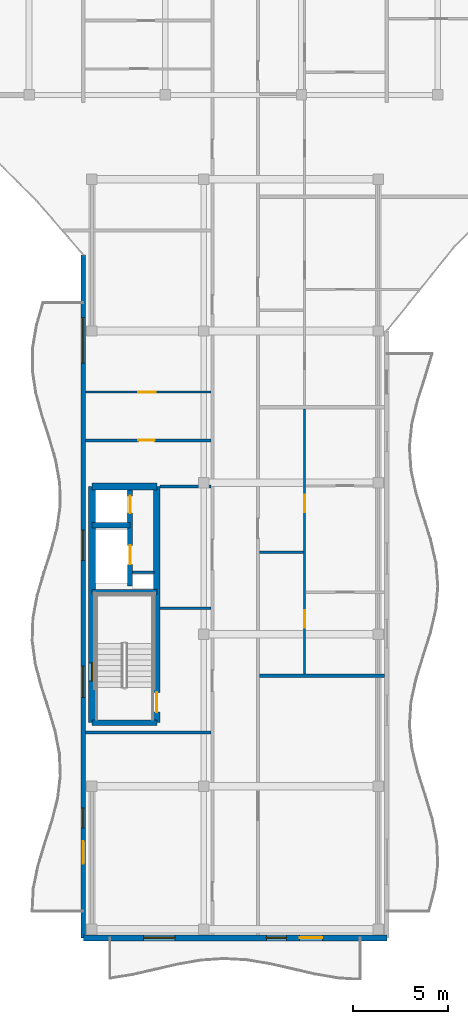
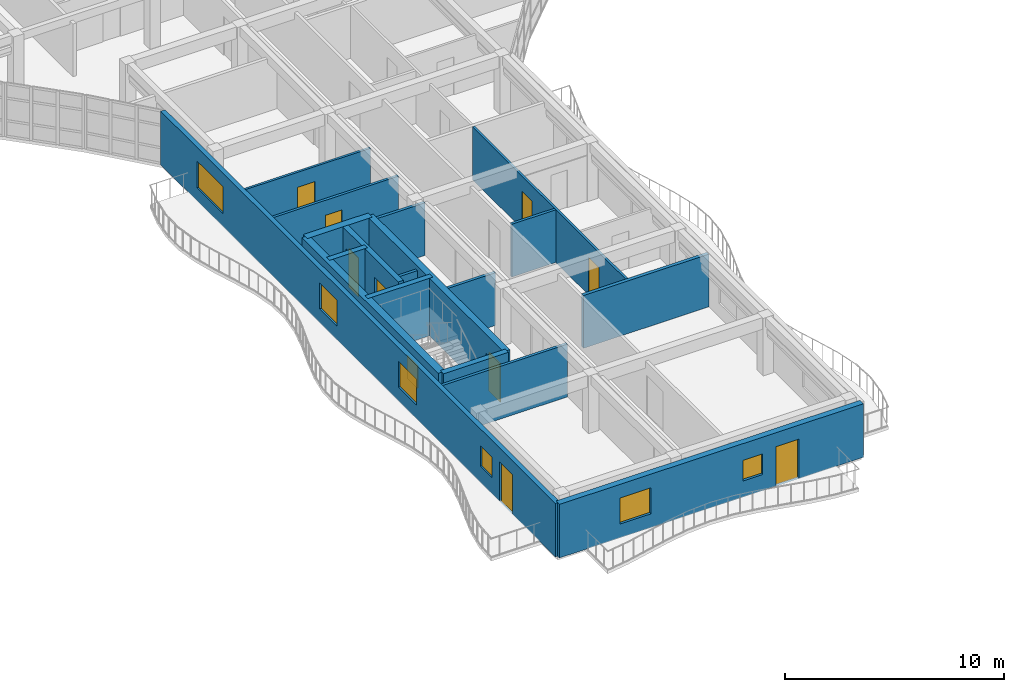
# One storey, part 36 of 68: 18 walls, 9 doors, 7 windows, 16 openings.
"""IFC4 building model written with IfcOpenShell, lengths in metres."""

from ifc_helpers import new_model, si_unit, direction, frame, frame_2d, origin, place, context, subcontext, project, spatial, rectangle, extrude, material, layer, layer_set, type_object, element, fill, save


model = new_model("IFC4")

# Units and contexts
model_context = context("Model", 3, precision=1e-05, world=origin(), true_north=direction((0.0, 1.0)))
body_context = subcontext(model_context, "Body", "Model", "MODEL_VIEW")
ifc_project = project(units=[si_unit("LENGTHUNIT", "METRE"), si_unit("AREAUNIT", "SQUARE_METRE"), si_unit("VOLUMEUNIT", "CUBIC_METRE"), si_unit("PLANEANGLEUNIT", "RADIAN"), si_unit("MASSUNIT", "GRAM", prefix="KILO")], contexts=[model_context])

# Site, building, storey
site_placement = place(None, origin())
site = spatial("IfcSite", under=ifc_project, at=site_placement, CompositionType="ELEMENT")
building_placement = place(site_placement, origin())
building = spatial("IfcBuilding", under=site, at=building_placement, Name="Keldmere Railside Commons", CompositionType="ELEMENT")
storey_placement = place(building_placement, frame((0.0, 0.0, 23.360107421875)))
storey = spatial("IfcBuildingStorey", under=building, at=storey_placement, Name="L07", CompositionType="ELEMENT", Elevation=23.360107421875)

# Wall
ifc_material_1 = material(Name="Acoustic Gypsum Board Partition", Category="gypsum")
ifc_layer_1 = layer(ifc_material_1, 0.179931640625, Name="Acoustic Demising Partition 180")
ifc_layer_set_1 = layer_set([ifc_layer_1], Name="Acoustic Gypsum Board Partition")
wall_type_1 = type_object("IfcWallType", Name="Acoustic Demising Partition 180", PredefinedType="PARTITIONING", material=ifc_layer_set_1)
wall_1_placement = place(storey_placement, frame((113.280029296875, 69.81005859375, 0.0), z_axis=(0.0, 0.0, 1.0), x_axis=(1.0, 0.0, 0.0)))
element("IfcWall", 1, at=wall_1_placement, inside=storey, type_object=wall_type_1, Name="IW-1 IW-L07-1196", PredefinedType="PARTITIONING", context=body_context, shape_type="SweptSolid", body=[
    extrude(rectangle(XDim=6.599853515625, YDim=0.179931640625, at=frame_2d((3.2998046875, 0.0))), origin(), (0.0, 0.0, 1.0), 2.934814453125),
])

# Wall, openings, doors
ifc_layer_2 = layer(ifc_material_1, 0.1201171875, Name="Apartment Interior Partition 120")
ifc_layer_set_2 = layer_set([ifc_layer_2], Name="Acoustic Gypsum Board Partition")
wall_type_2 = type_object("IfcWallType", Name="Apartment Interior Partition 120", PredefinedType="PARTITIONING", material=ifc_layer_set_2)
wall_2_placement = place(storey_placement, frame((115.659912109375, 69.89990234375, 0.0), z_axis=(0.0, 0.0, 1.0), x_axis=(0.0, 1.0, 0.0)))
wall_2 = element("IfcWall", 2, at=wall_2_placement, inside=storey, type_object=wall_type_2, Name="IW-4 IW-L07-1199", PredefinedType="PARTITIONING", context=body_context, shape_type="SweptSolid", body=[
    extrude(rectangle(XDim=13.97998046875, YDim=0.1201171875, at=frame_2d((6.989990234375, 0.0))), origin(), (0.0, 0.0, 1.0), 2.934814453125),
])
opening_1_placement = place(wall_2_placement, frame((2.443359375, 0.0, 0.0)))
opening_1 = element("IfcOpeningElement", 3, at=opening_1_placement, cuts=wall_2, Name="Opening ID-05", PredefinedType="OPENING", context=body_context, shape_type="SweptSolid", body=[
    extrude(rectangle(XDim=0.93994140625, YDim=2.10009765625, at=frame_2d((0.469970703125, 1.050048828125))), frame((0.0, 0.070068359375, 0.0), z_axis=(0.0, -1.0, 0.0), x_axis=(1.0, 0.0, 0.0)), (0.0, 0.0, 1.0), 0.14013671875),
])
opening_2_placement = place(wall_2_placement, frame((8.5439453125, 0.0, 0.0)))
opening_2 = element("IfcOpeningElement", 4, at=opening_2_placement, cuts=wall_2, Name="Opening ID-03", PredefinedType="OPENING", context=body_context, shape_type="SweptSolid", body=[
    extrude(rectangle(XDim=0.919921875, YDim=2.10009765625, at=frame_2d((0.4599609375, 1.050048828125))), frame((0.0, 0.070068359375, 0.0), z_axis=(0.0, -1.0, 0.0), x_axis=(1.0, 0.0, 0.0)), (0.0, 0.0, 1.0), 0.14013671875),
])
ifc_material_2 = material(Name="Engineered Oak Timber", Category="wood")
door_type_1 = type_object("IfcDoorType", Name="Accessible Bathroom Door 940x2100", OperationType="NOTDEFINED", PredefinedType="DOOR", material=ifc_material_2)
door_1_placement = place(opening_1_placement, origin())
door_1 = element("IfcDoor", 5, at=door_1_placement, inside=storey, type_object=door_type_1, Name="ID-05 IDR-L07-1058", OperationType="SINGLE_SWING_RIGHT", OverallHeight=2.10009765625, OverallWidth=0.93994140625, PredefinedType="DOOR", context=body_context, shape_type="SweptSolid", body=[
    extrude(rectangle(XDim=0.93994140625, YDim=2.10009765625, at=frame_2d((0.469970703125, 1.050048828125))), frame((0.0, 0.02490234375, 0.0), z_axis=(0.0, -1.0, 0.0), x_axis=(1.0, 0.0, 0.0)), (0.0, 0.0, 1.0), 0.050048828125),
])
fill(opening_1, door_1)
door_type_2 = type_object("IfcDoorType", Name="Kitchen Pocket-Frame Swing Door 920x2100", OperationType="NOTDEFINED", PredefinedType="DOOR", material=ifc_material_2)
door_2_placement = place(opening_2_placement, origin())
door_2 = element("IfcDoor", 6, at=door_2_placement, inside=storey, type_object=door_type_2, Name="ID-03 IDR-L07-1059", OperationType="SINGLE_SWING_LEFT", OverallHeight=2.10009765625, OverallWidth=0.919921875, PredefinedType="DOOR", context=body_context, shape_type="SweptSolid", body=[
    extrude(rectangle(XDim=0.919921875, YDim=2.10009765625, at=frame_2d((0.4599609375, 1.050048828125))), frame((0.0, 0.02490234375, 0.0), z_axis=(0.0, -1.0, 0.0), x_axis=(1.0, 0.0, 0.0)), (0.0, 0.0, 1.0), 0.050048828125),
])
fill(opening_2, door_2)

# Wall, opening, door
wall_3_placement = place(storey_placement, frame((104.1201171875, 84.780029296875, 0.0), z_axis=(0.0, 0.0, 1.0), x_axis=(1.0, 0.0, 0.0)))
wall_3 = element("IfcWall", 7, at=wall_3_placement, inside=storey, type_object=wall_type_2, Name="IW-4 IW-L07-1225", PredefinedType="PARTITIONING", context=body_context, shape_type="SweptSolid", body=[
    extrude(rectangle(XDim=6.599853515625, YDim=0.1201171875, at=frame_2d((3.2998046875, 0.0))), origin(), (0.0, 0.0, 1.0), 2.934814453125),
])
opening_3_placement = place(wall_3_placement, frame((2.77197265625, 0.0, 0.0)))
opening_3 = element("IfcOpeningElement", 8, at=opening_3_placement, cuts=wall_3, Name="Opening ID-03", PredefinedType="OPENING", context=body_context, shape_type="SweptSolid", body=[
    extrude(rectangle(XDim=0.919921875, YDim=2.10009765625, at=frame_2d((0.4599609375, 1.050048828125))), frame((0.0, 0.070068359375, 0.0), z_axis=(0.0, -1.0, 0.0), x_axis=(1.0, 0.0, 0.0)), (0.0, 0.0, 1.0), 0.14013671875),
])
door_3_placement = place(opening_3_placement, origin())
door_3 = element("IfcDoor", 9, at=door_3_placement, inside=storey, type_object=door_type_2, Name="ID-03 IDR-L07-1092", OperationType="SINGLE_SWING_RIGHT", OverallHeight=2.10009765625, OverallWidth=0.919921875, PredefinedType="DOOR", context=body_context, shape_type="SweptSolid", body=[
    extrude(rectangle(XDim=0.919921875, YDim=2.10009765625, at=frame_2d((0.4599609375, 1.050048828125))), frame((0.0, 0.02490234375, 0.0), z_axis=(0.0, -1.0, 0.0), x_axis=(1.0, 0.0, 0.0)), (0.0, 0.0, 1.0), 0.050048828125),
])
fill(opening_3, door_3)

# Walls
ifc_material_3 = material(Name="Concrete H-35 (C35/45)", Category="concrete")
ifc_layer_3 = layer(ifc_material_3, 0.280029296875, Name="Core Shear Wall 280")
ifc_layer_set_3 = layer_set([ifc_layer_3], Name="Concrete H-35 (C35/45)")
wall_type_3 = type_object("IfcWallType", Name="Core Shear Wall 280", PredefinedType="SHEAR", material=ifc_layer_set_3)
wall_4_placement = place(storey_placement, frame((104.4599609375, 74.239990234375, 0.0), z_axis=(0.0, 0.0, 1.0), x_axis=(1.0, 0.0, 0.0)))
element("IfcWall", 10, at=wall_4_placement, inside=storey, type_object=wall_type_3, Name="CSW-2 COREBM-L07-0520", PredefinedType="SHEAR", context=body_context, shape_type="SweptSolid", body=[
    extrude(rectangle(XDim=3.41015625, YDim=0.280029296875, at=frame_2d((1.705078125, 0.0))), origin(), (0.0, 0.0, 1.0), 3.199951171875),
])
wall_5_placement = place(storey_placement, frame((104.4599609375, 77.75, 0.0), z_axis=(0.0, 0.0, 1.0), x_axis=(1.0, 0.0, 0.0)))
element("IfcWall", 11, at=wall_5_placement, inside=storey, type_object=wall_type_3, Name="CSW-2 COREBL-L07-0521", PredefinedType="SHEAR", context=body_context, shape_type="SweptSolid", body=[
    extrude(rectangle(XDim=2.0, YDim=0.280029296875, at=frame_2d((1.0, 0.0))), origin(), (0.0, 0.0, 1.0), 3.199951171875),
])

# Wall, openings, doors
wall_6_placement = place(storey_placement, frame((106.4599609375, 74.550048828125, 0.0), z_axis=(0.0, 0.0, 1.0), x_axis=(0.0, 1.0, 0.0)))
wall_6 = element("IfcWall", 12, at=wall_6_placement, inside=storey, type_object=wall_type_3, Name="CSW-2 LSHB-L07-0522", PredefinedType="SHEAR", context=body_context, shape_type="SweptSolid", body=[
    extrude(rectangle(XDim=5.25, YDim=0.280029296875, at=frame_2d((2.625, 0.0))), origin(), (0.0, 0.0, 1.0), 3.199951171875),
])
opening_4_placement = place(wall_6_placement, frame((1.14990234375, 0.0, 0.0)))
opening_4 = element("IfcOpeningElement", 13, at=opening_4_placement, cuts=wall_6, Name="Opening LD-1", PredefinedType="OPENING", context=body_context, shape_type="SweptSolid", body=[
    extrude(rectangle(XDim=1.0, YDim=2.14990234375, at=frame_2d((0.5, 1.074951171875))), frame((0.0, 0.14990234375, 0.0), z_axis=(0.0, -1.0, 0.0), x_axis=(1.0, 0.0, 0.0)), (0.0, 0.0, 1.0), 0.300048828125),
])
opening_5_placement = place(wall_6_placement, frame((3.85009765625, 0.0, 0.0)))
opening_5 = element("IfcOpeningElement", 14, at=opening_5_placement, cuts=wall_6, Name="Opening LD-2", PredefinedType="OPENING", context=body_context, shape_type="SweptSolid", body=[
    extrude(rectangle(XDim=0.89990234375, YDim=2.14990234375, at=frame_2d((0.449951171875, 1.074951171875))), frame((0.0, 0.14990234375, 0.0), z_axis=(0.0, -1.0, 0.0), x_axis=(1.0, 0.0, 0.0)), (0.0, 0.0, 1.0), 0.300048828125),
])
ifc_material_4 = material(Name="Steel F-24 (S235)", Category="steel")
door_type_3 = type_object("IfcDoorType", Name="Firefighting Stretcher Lift Landing Door 1000x2150", OperationType="SLIDING_TO_LEFT", PredefinedType="DOOR", material=ifc_material_4)
door_4_placement = place(opening_4_placement, origin())
door_4 = element("IfcDoor", 15, at=door_4_placement, inside=storey, type_object=door_type_3, Name="LD-1 B L07", OperationType="SLIDING_TO_LEFT", OverallHeight=2.14990234375, OverallWidth=1.0, PredefinedType="DOOR", context=body_context, shape_type="SweptSolid", body=[
    extrude(rectangle(XDim=1.0, YDim=2.14990234375, at=frame_2d((0.5, 1.074951171875))), frame((0.0, 0.02490234375, 0.0), z_axis=(0.0, -1.0, 0.0), x_axis=(1.0, 0.0, 0.0)), (0.0, 0.0, 1.0), 0.050048828125),
])
fill(opening_4, door_4)
door_type_4 = type_object("IfcDoorType", Name="Passenger Lift Sliding Landing Door 900x2150", OperationType="SLIDING_TO_RIGHT", PredefinedType="DOOR", material=ifc_material_4)
door_5_placement = place(opening_5_placement, origin())
door_5 = element("IfcDoor", 16, at=door_5_placement, inside=storey, type_object=door_type_4, Name="LD-2 B L07", OperationType="SLIDING_TO_RIGHT", OverallHeight=2.14990234375, OverallWidth=0.89990234375, PredefinedType="DOOR", context=body_context, shape_type="SweptSolid", body=[
    extrude(rectangle(XDim=0.89990234375, YDim=2.14990234375, at=frame_2d((0.449951171875, 1.074951171875))), frame((0.0, 0.02490234375, 0.0), z_axis=(0.0, -1.0, 0.0), x_axis=(1.0, 0.0, 0.0)), (0.0, 0.0, 1.0), 0.050048828125),
])
fill(opening_5, door_5)

# Wall, opening, window
ifc_material_5 = material(Name="Concrete H-40 (C40/50)", Category="concrete")
ifc_layer_4 = layer(ifc_material_5, 0.3798828125, Name="Core Shear Wall 380")
ifc_layer_set_4 = layer_set([ifc_layer_4], Name="Concrete H-40 (C40/50)")
wall_type_4 = type_object("IfcWallType", Name="Core Shear Wall 380", PredefinedType="SHEAR", material=ifc_layer_set_4)
wall_7_placement = place(storey_placement, frame((104.4599609375, 67.35009765625, 0.0), z_axis=(0.0, 0.0, 1.0), x_axis=(0.0, 1.0, 0.0)))
wall_7 = element("IfcWall", 17, at=wall_7_placement, inside=storey, type_object=wall_type_4, Name="CW-CORE COREBW-L07-0516", PredefinedType="SHEAR", context=body_context, shape_type="SweptSolid", body=[
    extrude(rectangle(XDim=12.449951171875, YDim=0.3798828125, at=frame_2d((6.22509765625, 0.0))), origin(), (0.0, 0.0, 1.0), 3.199951171875),
])
opening_6_placement = place(wall_7_placement, frame((2.199951171875, 0.0, 0.969970703125)))
opening_6 = element("IfcOpeningElement", 18, at=opening_6_placement, cuts=wall_7, Name="Opening WN-17", PredefinedType="OPENING", context=body_context, shape_type="SweptSolid", body=[
    extrude(rectangle(XDim=0.949951171875, YDim=1.25, at=frame_2d((0.47509765625, 0.625))), frame((0.0, 0.199951171875, 0.0), z_axis=(0.0, -1.0, 0.0), x_axis=(1.0, 0.0, 0.0)), (0.0, 0.0, 1.0), 0.39990234375),
])
ifc_material_6 = material(Name="Low-E Insulated Double Glazing", Category="glass")
window_type_1 = type_object("IfcWindowType", Name="Stair Core Natural Smoke-Vent Window 950x1250", PartitioningType="SINGLE_PANEL", PredefinedType="WINDOW", material=ifc_material_6)
window_1_placement = place(opening_6_placement, origin())
window_1 = element("IfcWindow", 19, at=window_1_placement, inside=storey, type_object=window_type_1, Name="WN-17 WIN-L07-0344", OverallHeight=1.25, OverallWidth=0.949951171875, PartitioningType="SINGLE_PANEL", PredefinedType="WINDOW", context=body_context, shape_type="SweptSolid", body=[
    extrude(rectangle(XDim=0.949951171875, YDim=1.25, at=frame_2d((0.47509765625, 0.625))), frame((0.0, 0.030029296875, 0.0), z_axis=(0.0, -1.0, 0.0), x_axis=(1.0, 0.0, 0.0)), (0.0, 0.0, 1.0), 0.06005859375),
])
fill(opening_6, window_1)

# Wall
wall_8_placement = place(storey_placement, frame((104.4599609375, 79.800048828125, 0.0), z_axis=(0.0, 0.0, 1.0), x_axis=(1.0, 0.0, 0.0)))
element("IfcWall", 20, at=wall_8_placement, inside=storey, type_object=wall_type_4, Name="CW-CORE COREBN-L07-0517", PredefinedType="SHEAR", context=body_context, shape_type="SweptSolid", body=[
    extrude(rectangle(XDim=3.41015625, YDim=0.3798828125, at=frame_2d((1.705078125, 0.0))), origin(), (0.0, 0.0, 1.0), 3.199951171875),
])

# Wall, openings, windows, door
ifc_layer_5 = layer(ifc_material_3, 0.320068359375, Name="Exterior Shear Wall 320")
ifc_layer_set_5 = layer_set([ifc_layer_5], Name="Concrete H-35 (C35/45)")
wall_type_5 = type_object("IfcWallType", Name="Exterior Shear Wall 320", PredefinedType="SHEAR", material=ifc_layer_set_5)
wall_9_placement = place(storey_placement, frame((120.0, 56.0, 0.0), z_axis=(0.0, 0.0, 1.0), x_axis=(-1.0, 0.0, 0.0)))
wall_9 = element("IfcWall", 21, at=wall_9_placement, inside=storey, type_object=wall_type_5, Name="ESW-2 EXTB-L07-0638", PredefinedType="SHEAR", context=body_context, shape_type="SweptSolid", body=[
    extrude(rectangle(XDim=16.0, YDim=0.320068359375, at=frame_2d((8.0, 0.0))), origin(), (0.0, 0.0, 1.0), 2.97998046875),
])
opening_7_placement = place(wall_9_placement, frame((3.39990234375, 0.0, 0.0)))
opening_7 = element("IfcOpeningElement", 22, at=opening_7_placement, cuts=wall_9, Name="Opening BD-01", PredefinedType="OPENING", context=body_context, shape_type="SweptSolid", body=[
    extrude(rectangle(XDim=1.199951171875, YDim=2.199951171875, at=frame_2d((0.60009765625, 1.10009765625))), frame((0.0, 0.169921875, 0.0), z_axis=(0.0, -1.0, 0.0), x_axis=(1.0, 0.0, 0.0)), (0.0, 0.0, 1.0), 0.340087890625),
])
opening_8_placement = place(wall_9_placement, frame((5.300048828125, 0.0, 0.89990234375)))
opening_8 = element("IfcOpeningElement", 23, at=opening_8_placement, cuts=wall_9, Name="Opening WN-13", PredefinedType="OPENING", context=body_context, shape_type="SweptSolid", body=[
    extrude(rectangle(XDim=1.050048828125, YDim=1.14990234375, at=frame_2d((0.52490234375, 0.574951171875))), frame((0.0, 0.169921875, 0.0), z_axis=(0.0, -1.0, 0.0), x_axis=(1.0, 0.0, 0.0)), (0.0, 0.0, 1.0), 0.340087890625),
])
opening_9_placement = place(wall_9_placement, frame((11.175048828125, 0.0, 0.77001953125)))
opening_9 = element("IfcOpeningElement", 24, at=opening_9_placement, cuts=wall_9, Name="Opening WN-03", PredefinedType="OPENING", context=body_context, shape_type="SweptSolid", body=[
    extrude(rectangle(XDim=1.64990234375, YDim=1.449951171875, at=frame_2d((0.824951171875, 0.72509765625))), frame((0.0, 0.169921875, 0.0), z_axis=(0.0, -1.0, 0.0), x_axis=(1.0, 0.0, 0.0)), (0.0, 0.0, 1.0), 0.340087890625),
])
window_type_2 = type_object("IfcWindowType", Name="Apartment Kitchen Casement Window 1050x1150", PartitioningType="SINGLE_PANEL", PredefinedType="WINDOW", material=ifc_material_6)
window_2_placement = place(opening_8_placement, origin())
window_2 = element("IfcWindow", 25, at=window_2_placement, inside=storey, type_object=window_type_2, Name="WN-13 WIN-L07-0474", OverallHeight=1.14990234375, OverallWidth=1.050048828125, PartitioningType="SINGLE_PANEL", PredefinedType="WINDOW", context=body_context, shape_type="SweptSolid", body=[
    extrude(rectangle(XDim=1.050048828125, YDim=1.14990234375, at=frame_2d((0.52490234375, 0.574951171875))), frame((0.0, 0.030029296875, 0.0), z_axis=(0.0, -1.0, 0.0), x_axis=(1.0, 0.0, 0.0)), (0.0, 0.0, 1.0), 0.06005859375),
])
fill(opening_8, window_2)
ifc_material_7 = material(Name="Thermally Broken Aluminium", Category="aluminium")
door_type_5 = type_object("IfcDoorType", Name="Apartment Living Wave-Balcony Glazed Door 1200x2200", OperationType="NOTDEFINED", PredefinedType="DOOR", material=ifc_material_7)
door_6_placement = place(opening_7_placement, origin())
door_6 = element("IfcDoor", 26, at=door_6_placement, inside=storey, type_object=door_type_5, Name="BD-01 DR-L07-0176", OperationType="SINGLE_SWING_RIGHT", OverallHeight=2.199951171875, OverallWidth=1.199951171875, PredefinedType="DOOR", context=body_context, shape_type="SweptSolid", body=[
    extrude(rectangle(XDim=1.199951171875, YDim=2.199951171875, at=frame_2d((0.60009765625, 1.10009765625))), frame((0.0, 0.02490234375, 0.0), z_axis=(0.0, -1.0, 0.0), x_axis=(1.0, 0.0, 0.0)), (0.0, 0.0, 1.0), 0.050048828125),
])
fill(opening_7, door_6)
window_type_3 = type_object("IfcWindowType", Name="Living Room East Shaded Window 1650x1450", PartitioningType="SINGLE_PANEL", PredefinedType="WINDOW", material=ifc_material_6)
window_3_placement = place(opening_9_placement, origin())
window_3 = element("IfcWindow", 27, at=window_3_placement, inside=storey, type_object=window_type_3, Name="WN-03 WIN-L07-0475", OverallHeight=1.449951171875, OverallWidth=1.64990234375, PartitioningType="SINGLE_PANEL", PredefinedType="WINDOW", context=body_context, shape_type="SweptSolid", body=[
    extrude(rectangle(XDim=1.64990234375, YDim=1.449951171875, at=frame_2d((0.824951171875, 0.72509765625))), frame((0.0, 0.030029296875, 0.0), z_axis=(0.0, -1.0, 0.0), x_axis=(1.0, 0.0, 0.0)), (0.0, 0.0, 1.0), 0.06005859375),
])
fill(opening_9, window_3)

# Wall
ifc_layer_6 = layer(ifc_material_3, 0.300048828125, Name="Interior Shear Wall 300")
ifc_layer_set_6 = layer_set([ifc_layer_6], Name="Concrete H-35 (C35/45)")
wall_type_6 = type_object("IfcWallType", Name="Interior Shear Wall 300", PredefinedType="SHEAR", material=ifc_layer_set_6)
wall_10_placement = place(storey_placement, frame((107.8701171875, 67.35009765625, 0.0), z_axis=(0.0, 0.0, 1.0), x_axis=(-1.0, 0.0, 0.0)))
element("IfcWall", 28, at=wall_10_placement, inside=storey, type_object=wall_type_6, Name="ISW-2 COREBS-L07-0519", PredefinedType="SHEAR", context=body_context, shape_type="SweptSolid", body=[
    extrude(rectangle(XDim=3.41015625, YDim=0.300048828125, at=frame_2d((1.705078125, 0.0))), origin(), (0.0, 0.0, 1.0), 3.199951171875),
])

# Wall, opening, door
ifc_layer_7 = layer(ifc_material_3, 0.340087890625, Name="Interior Shear Wall 340")
ifc_layer_set_7 = layer_set([ifc_layer_7], Name="Concrete H-35 (C35/45)")
wall_type_7 = type_object("IfcWallType", Name="Interior Shear Wall 340", PredefinedType="SHEAR", material=ifc_layer_set_7)
wall_11_placement = place(storey_placement, frame((107.8701171875, 79.800048828125, 0.0), z_axis=(0.0, 0.0, 1.0), x_axis=(0.0, -1.0, 0.0)))
wall_11 = element("IfcWall", 29, at=wall_11_placement, inside=storey, type_object=wall_type_7, Name="ISW-1 COREBE-L07-0518", PredefinedType="SHEAR", context=body_context, shape_type="SweptSolid", body=[
    extrude(rectangle(XDim=12.449951171875, YDim=0.340087890625, at=frame_2d((6.22509765625, 0.0))), origin(), (0.0, 0.0, 1.0), 3.199951171875),
])
opening_10_placement = place(wall_11_placement, frame((10.85009765625, 0.0, 0.0)))
opening_10 = element("IfcOpeningElement", 30, at=opening_10_placement, cuts=wall_11, Name="Opening FD-1", PredefinedType="OPENING", context=body_context, shape_type="SweptSolid", body=[
    extrude(rectangle(XDim=1.050048828125, YDim=2.14990234375, at=frame_2d((0.52490234375, 1.074951171875))), frame((0.0, 0.179931640625, 0.0), z_axis=(0.0, -1.0, 0.0), x_axis=(1.0, 0.0, 0.0)), (0.0, 0.0, 1.0), 0.360107421875),
])
door_type_6 = type_object("IfcDoorType", Name="Stair Core Fire Door 1050x2150", OperationType="NOTDEFINED", PredefinedType="DOOR", material=ifc_material_4)
door_7_placement = place(opening_10_placement, origin())
door_7 = element("IfcDoor", 31, at=door_7_placement, inside=storey, type_object=door_type_6, Name="FD-1 B1 L07", OperationType="SINGLE_SWING_LEFT", OverallHeight=2.14990234375, OverallWidth=1.050048828125, PredefinedType="DOOR", context=body_context, shape_type="SweptSolid", body=[
    extrude(rectangle(XDim=1.050048828125, YDim=2.14990234375, at=frame_2d((0.52490234375, 1.074951171875))), frame((0.0, 0.02490234375, 0.0), z_axis=(0.0, -1.0, 0.0), x_axis=(1.0, 0.0, 0.0)), (0.0, 0.0, 1.0), 0.050048828125),
])
fill(opening_10, door_7)

# Walls
ifc_layer_8 = layer(ifc_material_1, 0.14990234375, Name="Lobby Rated Partition 150")
ifc_layer_set_8 = layer_set([ifc_layer_8], Name="Acoustic Gypsum Board Partition")
wall_type_8 = type_object("IfcWallType", Name="Lobby Rated Partition 150", PredefinedType="PARTITIONING", material=ifc_layer_set_8)
wall_12_placement = place(storey_placement, frame((106.60009765625, 75.280029296875, 0.0), z_axis=(0.0, 0.0, 1.0), x_axis=(1.0, 0.0, 0.0)))
element("IfcWall", 32, at=wall_12_placement, inside=storey, type_object=wall_type_8, Name="IW-3 RSRNB-L07-0523", PredefinedType="PARTITIONING", context=body_context, shape_type="SweptSolid", body=[
    extrude(rectangle(XDim=1.1298828125, YDim=0.14990234375, at=frame_2d((0.56494140625, 0.0))), origin(), (0.0, 0.0, 1.0), 2.949951171875),
])
wall_13_placement = place(storey_placement, frame((104.1201171875, 66.820068359375, 0.0), z_axis=(0.0, 0.0, 1.0), x_axis=(1.0, 0.0, 0.0)))
element("IfcWall", 33, at=wall_13_placement, inside=storey, type_object=wall_type_8, Name="IW-3 IW-L07-1184", PredefinedType="PARTITIONING", context=body_context, shape_type="SweptSolid", body=[
    extrude(rectangle(XDim=6.599853515625, YDim=0.14990234375, at=frame_2d((3.2998046875, 0.0))), origin(), (0.0, 0.0, 1.0), 2.934814453125),
])
for number, where, z_axis, x_axis, name in (
    (34, (108.0400390625, 73.3798828125, 0.0), (0.0, 0.0, 1.0), (1.0, 0.0, 0.0), "IW-3 IW-L07-1185"),
    (35, (108.0400390625, 79.800048828125, 0.0), (0.0, 0.0, 1.0), (1.0, 0.0, 0.0), "IW-3 IW-L07-1186"),
):
    element("IfcWall", number, at=place(storey_placement, frame(where, z_axis=z_axis, x_axis=x_axis)), inside=storey, type_object=wall_type_8, Name=name, PredefinedType="PARTITIONING", context=body_context, shape_type="SweptSolid", body=[
        extrude(rectangle(XDim=2.679931640625, YDim=0.14990234375, at=frame_2d((1.33984375, 0.0))), origin(), (0.0, 0.0, 1.0), 2.934814453125),
    ])

# Wall, openings, windows, door
ifc_material_8 = material(Name="Architectural Precast Concrete H-35 (C35/45)", Category="concrete")
ifc_layer_9 = layer(ifc_material_8, 0.239990234375, Name="Sand-Ochre Precast Cavity Wall 240")
ifc_layer_set_9 = layer_set([ifc_layer_9], Name="Architectural Precast Concrete H-35 (C35/45)")
wall_type_9 = type_object("IfcWallType", Name="Sand-Ochre Precast Cavity Wall 240", PredefinedType="SOLIDWALL", material=ifc_layer_set_9)
wall_14_placement = place(storey_placement, frame((104.0, 56.0, 0.0), z_axis=(0.0, 0.0, 1.0), x_axis=(0.0, 1.0, 0.0)))
wall_14 = element("IfcWall", 36, at=wall_14_placement, inside=storey, type_object=wall_type_9, Name="EW-2 EXTB-L07-0645", PredefinedType="SOLIDWALL", context=body_context, shape_type="SweptSolid", body=[
    extrude(rectangle(XDim=36.0, YDim=0.239990234375, at=frame_2d((18.0, 0.0))), origin(), (0.0, 0.0, 1.0), 2.97998046875),
])
opening_11_placement = place(wall_14_placement, frame((3.89990234375, 0.0, 0.0)))
opening_11 = element("IfcOpeningElement", 37, at=opening_11_placement, cuts=wall_14, Name="Opening BD-01", PredefinedType="OPENING", context=body_context, shape_type="SweptSolid", body=[
    extrude(rectangle(XDim=1.199951171875, YDim=2.199951171875, at=frame_2d((0.60009765625, 1.10009765625))), frame((0.0, 0.1298828125, 0.0), z_axis=(0.0, -1.0, 0.0), x_axis=(1.0, 0.0, 0.0)), (0.0, 0.0, 1.0), 0.260009765625),
])
opening_12_placement = place(wall_14_placement, frame((5.800048828125, 0.0, 0.89990234375)))
opening_12 = element("IfcOpeningElement", 38, at=opening_12_placement, cuts=wall_14, Name="Opening WN-13", PredefinedType="OPENING", context=body_context, shape_type="SweptSolid", body=[
    extrude(rectangle(XDim=1.050048828125, YDim=1.14990234375, at=frame_2d((0.52490234375, 0.574951171875))), frame((0.0, 0.1298828125, 0.0), z_axis=(0.0, -1.0, 0.0), x_axis=(1.0, 0.0, 0.0)), (0.0, 0.0, 1.0), 0.260009765625),
])
opening_13_placement = place(wall_14_placement, frame((12.675048828125, 0.0, 0.77001953125)))
opening_13 = element("IfcOpeningElement", 39, at=opening_13_placement, cuts=wall_14, Name="Opening WN-03", PredefinedType="OPENING", context=body_context, shape_type="SweptSolid", body=[
    extrude(rectangle(XDim=1.64990234375, YDim=1.449951171875, at=frame_2d((0.824951171875, 0.72509765625))), frame((0.0, 0.1298828125, 0.0), z_axis=(0.0, -1.0, 0.0), x_axis=(1.0, 0.0, 0.0)), (0.0, 0.0, 1.0), 0.260009765625),
])
opening_14_placement = place(wall_14_placement, frame((19.89990234375, 0.0, 0.77001953125)))
opening_14 = element("IfcOpeningElement", 40, at=opening_14_placement, cuts=wall_14, Name="Opening WN-04", PredefinedType="OPENING", context=body_context, shape_type="SweptSolid", body=[
    extrude(rectangle(XDim=1.60009765625, YDim=1.449951171875, at=frame_2d((0.800048828125, 0.72509765625))), frame((0.0, 0.1298828125, 0.0), z_axis=(0.0, -1.0, 0.0), x_axis=(1.0, 0.0, 0.0)), (0.0, 0.0, 1.0), 0.260009765625),
])
opening_15_placement = place(wall_14_placement, frame((30.300048828125, 0.0, 0.719970703125)))
opening_15 = element("IfcOpeningElement", 41, at=opening_15_placement, cuts=wall_14, Name="Opening WN-05", PredefinedType="OPENING", context=body_context, shape_type="SweptSolid", body=[
    extrude(rectangle(XDim=2.39990234375, YDim=1.5, at=frame_2d((1.199951171875, 0.75))), frame((0.0, 0.1298828125, 0.0), z_axis=(0.0, -1.0, 0.0), x_axis=(1.0, 0.0, 0.0)), (0.0, 0.0, 1.0), 0.260009765625),
])
window_4_placement = place(opening_12_placement, origin())
window_4 = element("IfcWindow", 42, at=window_4_placement, inside=storey, type_object=window_type_2, Name="WN-13 WIN-L07-0488", OverallHeight=1.14990234375, OverallWidth=1.050048828125, PartitioningType="SINGLE_PANEL", PredefinedType="WINDOW", context=body_context, shape_type="SweptSolid", body=[
    extrude(rectangle(XDim=1.050048828125, YDim=1.14990234375, at=frame_2d((0.52490234375, 0.574951171875))), frame((0.0, 0.030029296875, 0.0), z_axis=(0.0, -1.0, 0.0), x_axis=(1.0, 0.0, 0.0)), (0.0, 0.0, 1.0), 0.06005859375),
])
fill(opening_12, window_4)
door_8_placement = place(opening_11_placement, origin())
door_8 = element("IfcDoor", 43, at=door_8_placement, inside=storey, type_object=door_type_5, Name="BD-01 DR-L07-0183", OperationType="SINGLE_SWING_LEFT", OverallHeight=2.199951171875, OverallWidth=1.199951171875, PredefinedType="DOOR", context=body_context, shape_type="SweptSolid", body=[
    extrude(rectangle(XDim=1.199951171875, YDim=2.199951171875, at=frame_2d((0.60009765625, 1.10009765625))), frame((0.0, 0.02490234375, 0.0), z_axis=(0.0, -1.0, 0.0), x_axis=(1.0, 0.0, 0.0)), (0.0, 0.0, 1.0), 0.050048828125),
])
fill(opening_11, door_8)
window_type_4 = type_object("IfcWindowType", Name="Corner Dual-Aspect Ribbon Window 2400x1500", PartitioningType="SINGLE_PANEL", PredefinedType="WINDOW", material=ifc_material_6)
window_5_placement = place(opening_15_placement, origin())
window_5 = element("IfcWindow", 44, at=window_5_placement, inside=storey, type_object=window_type_4, Name="WN-05 WIN-L07-0491", OverallHeight=1.5, OverallWidth=2.39990234375, PartitioningType="SINGLE_PANEL", PredefinedType="WINDOW", context=body_context, shape_type="SweptSolid", body=[
    extrude(rectangle(XDim=2.39990234375, YDim=1.5, at=frame_2d((1.199951171875, 0.75))), frame((0.0, 0.030029296875, 0.0), z_axis=(0.0, -1.0, 0.0), x_axis=(1.0, 0.0, 0.0)), (0.0, 0.0, 1.0), 0.06005859375),
])
fill(opening_15, window_5)
window_6_placement = place(opening_13_placement, origin())
window_6 = element("IfcWindow", 45, at=window_6_placement, inside=storey, type_object=window_type_3, Name="WN-03 WIN-L07-0489", OverallHeight=1.449951171875, OverallWidth=1.64990234375, PartitioningType="SINGLE_PANEL", PredefinedType="WINDOW", context=body_context, shape_type="SweptSolid", body=[
    extrude(rectangle(XDim=1.64990234375, YDim=1.449951171875, at=frame_2d((0.824951171875, 0.72509765625))), frame((0.0, 0.030029296875, 0.0), z_axis=(0.0, -1.0, 0.0), x_axis=(1.0, 0.0, 0.0)), (0.0, 0.0, 1.0), 0.06005859375),
])
fill(opening_13, window_6)
window_type_5 = type_object("IfcWindowType", Name="Living Room West Shaded Window 1600x1450", PartitioningType="SINGLE_PANEL", PredefinedType="WINDOW", material=ifc_material_6)
window_7_placement = place(opening_14_placement, origin())
window_7 = element("IfcWindow", 46, at=window_7_placement, inside=storey, type_object=window_type_5, Name="WN-04 WIN-L07-0490", OverallHeight=1.449951171875, OverallWidth=1.60009765625, PartitioningType="SINGLE_PANEL", PredefinedType="WINDOW", context=body_context, shape_type="SweptSolid", body=[
    extrude(rectangle(XDim=1.60009765625, YDim=1.449951171875, at=frame_2d((0.800048828125, 0.72509765625))), frame((0.0, 0.030029296875, 0.0), z_axis=(0.0, -1.0, 0.0), x_axis=(1.0, 0.0, 0.0)), (0.0, 0.0, 1.0), 0.06005859375),
])
fill(opening_14, window_7)

# Wall
ifc_layer_10 = layer(ifc_material_1, 0.139892578125, Name="Wet-Room Sanitary Partition 140")
ifc_layer_set_10 = layer_set([ifc_layer_10], Name="Acoustic Gypsum Board Partition")
wall_type_10 = type_object("IfcWallType", Name="Wet-Room Sanitary Partition 140", PredefinedType="PARTITIONING", material=ifc_layer_set_10)
wall_15_placement = place(storey_placement, frame((113.280029296875, 76.330078125, 0.0), z_axis=(0.0, 0.0, 1.0), x_axis=(1.0, 0.0, 0.0)))
element("IfcWall", 47, at=wall_15_placement, inside=storey, type_object=wall_type_10, Name="IW-5 IW-L07-1200", PredefinedType="PARTITIONING", context=body_context, shape_type="SweptSolid", body=[
    extrude(rectangle(XDim=2.320068359375, YDim=0.139892578125, at=frame_2d((1.16015625, 0.0))), origin(), (0.0, 0.0, 1.0), 2.934814453125),
])

# Wall, opening, door
wall_16_placement = place(storey_placement, frame((104.1201171875, 82.22998046875, 0.0), z_axis=(0.0, 0.0, 1.0), x_axis=(1.0, 0.0, 0.0)))
wall_16 = element("IfcWall", 48, at=wall_16_placement, inside=storey, type_object=wall_type_10, Name="IW-5 IW-L07-1224", PredefinedType="PARTITIONING", context=body_context, shape_type="SweptSolid", body=[
    extrude(rectangle(XDim=6.599853515625, YDim=0.139892578125, at=frame_2d((3.2998046875, 0.0))), origin(), (0.0, 0.0, 1.0), 2.934814453125),
])
opening_16_placement = place(wall_16_placement, frame((2.77197265625, 0.0, 0.0)))
opening_16 = element("IfcOpeningElement", 49, at=opening_16_placement, cuts=wall_16, Name="Opening ID-04", PredefinedType="OPENING", context=body_context, shape_type="SweptSolid", body=[
    extrude(rectangle(XDim=0.860107421875, YDim=2.10009765625, at=frame_2d((0.43017578125, 1.050048828125))), frame((0.0, 0.079833984375, 0.0), z_axis=(0.0, -1.0, 0.0), x_axis=(1.0, 0.0, 0.0)), (0.0, 0.0, 1.0), 0.159912109375),
])
door_type_7 = type_object("IfcDoorType", Name="Apartment Bathroom Door 860x2100", OperationType="NOTDEFINED", PredefinedType="DOOR", material=ifc_material_2)
door_9_placement = place(opening_16_placement, origin())
door_9 = element("IfcDoor", 50, at=door_9_placement, inside=storey, type_object=door_type_7, Name="ID-04 IDR-L07-1091", OperationType="SINGLE_SWING_LEFT", OverallHeight=2.10009765625, OverallWidth=0.860107421875, PredefinedType="DOOR", context=body_context, shape_type="SweptSolid", body=[
    extrude(rectangle(XDim=0.860107421875, YDim=2.10009765625, at=frame_2d((0.43017578125, 1.050048828125))), frame((0.0, 0.02490234375, 0.0), z_axis=(0.0, -1.0, 0.0), x_axis=(1.0, 0.0, 0.0)), (0.0, 0.0, 1.0), 0.050048828125),
])
fill(opening_16, door_9)

save(model, "model.ifc")
